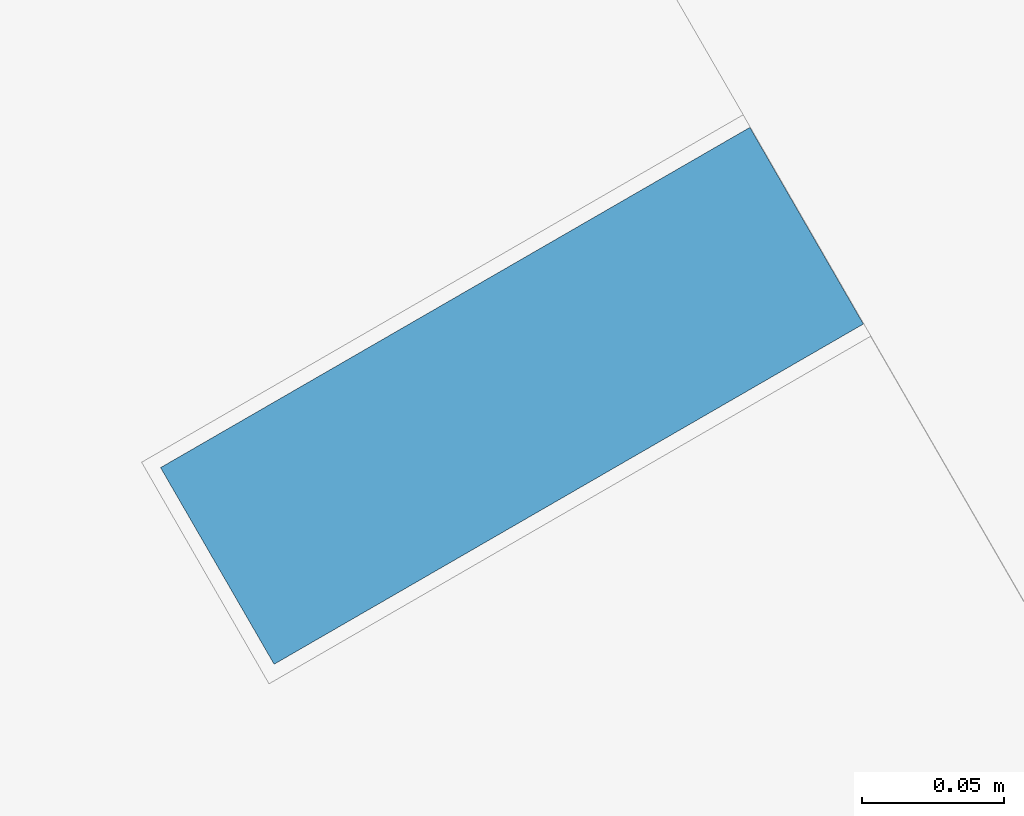
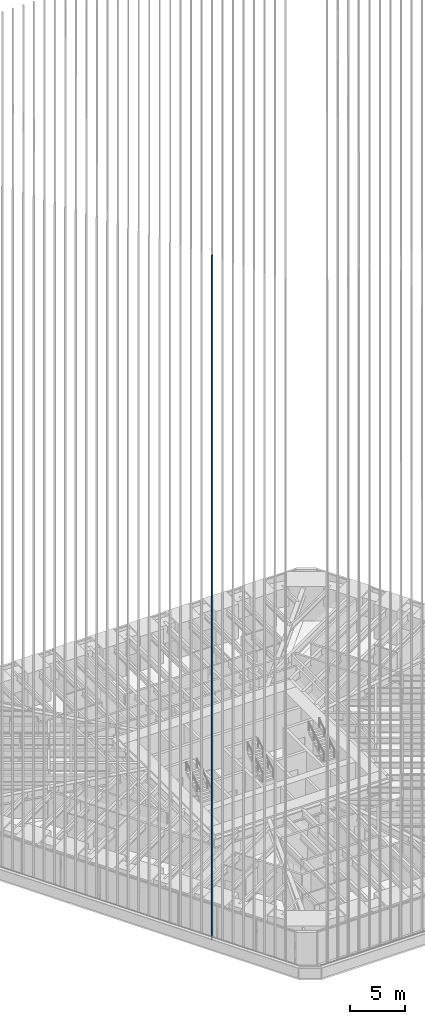
# One storey, part 31 of 238: 1 member, 1 element without a shape of its own.
"""IFC4 building model written with IfcOpenShell, lengths in metres."""

from ifc_helpers import new_model, si_unit, direction, frame, origin, origin_2d, place, context, subcontext, project, spatial, rectangle, extrude, material, material_profile, profile_set, type_object, element, aggregate, save


model = new_model("IFC4")

# Units and contexts
model_context = context("Model", 3, precision=1e-05, world=origin(), true_north=direction((0.0, 1.0)))
body_context = subcontext(model_context, "Body", "Model", "MODEL_VIEW")
ifc_project = project(units=[si_unit("LENGTHUNIT", "METRE"), si_unit("AREAUNIT", "SQUARE_METRE"), si_unit("VOLUMEUNIT", "CUBIC_METRE"), si_unit("PLANEANGLEUNIT", "RADIAN"), si_unit("MASSUNIT", "GRAM", prefix="KILO")], contexts=[model_context])

# Site, building, storey
site_placement = place(None, origin())
site = spatial("IfcSite", under=ifc_project, at=site_placement, CompositionType="ELEMENT")
building_placement = place(site_placement, origin())
building = spatial("IfcBuilding", under=site, at=building_placement, Name="Sandreach Pilgrim Tower", CompositionType="ELEMENT")
storey_placement = place(building_placement, frame((0.0, 0.0, 96.800048828125)))
storey = spatial("IfcBuildingStorey", under=building, at=storey_placement, Name="L23", CompositionType="ELEMENT", Elevation=96.800048828125)

# Curtain wall, member
ifc_material_1 = material(Name="Aluminium framed curtain wall", Category="aluminium")
curtain_wall_type = type_object("IfcCurtainWallType", Name="Hotel tower curtain wall", PredefinedType="NOTDEFINED", material=ifc_material_1)
curtain_wall_placement = place(storey_placement, origin())
curtain_wall = element("IfcCurtainWall", 1, at=curtain_wall_placement, inside=storey, type_object=curtain_wall_type, Name="CW-2 L23 SW", PredefinedType="NOTDEFINED")
ifc_material_2 = material(Name="Extruded terracotta on aluminium core", Category="masonry")
ifc_material_profile = material_profile(ifc_material_2, rectangle(XDim=0.080078125, YDim=0.239990234375, at=origin_2d()), Name="TBW 80X240")
ifc_profile_set = profile_set([ifc_material_profile], Name="Extruded terracotta on aluminium core")
member_type = type_object("IfcMemberType", Name="Terracotta baguette west", PredefinedType="USERDEFINED", material=ifc_profile_set)
member_placement = place(storey_placement, frame((-14.8876953125, -20.04150390625, 0.0), z_axis=(0.0, 0.0, 1.0), x_axis=(-0.5, 0.866025403784, 0.0)))
member = element("IfcMember", 2, at=member_placement, type_object=member_type, Name="Baguette Z2 SW08", ObjectType="BAGUETTE", PredefinedType="USERDEFINED", context=body_context, shape_type="SweptSolid", body=[
    extrude(rectangle(XDim=0.080078125, YDim=0.239990234375, at=origin_2d()), origin(), (0.0, 0.0, 1.0), 75.83984375),
])
aggregate(curtain_wall, [member])

save(model, "model.ifc")
